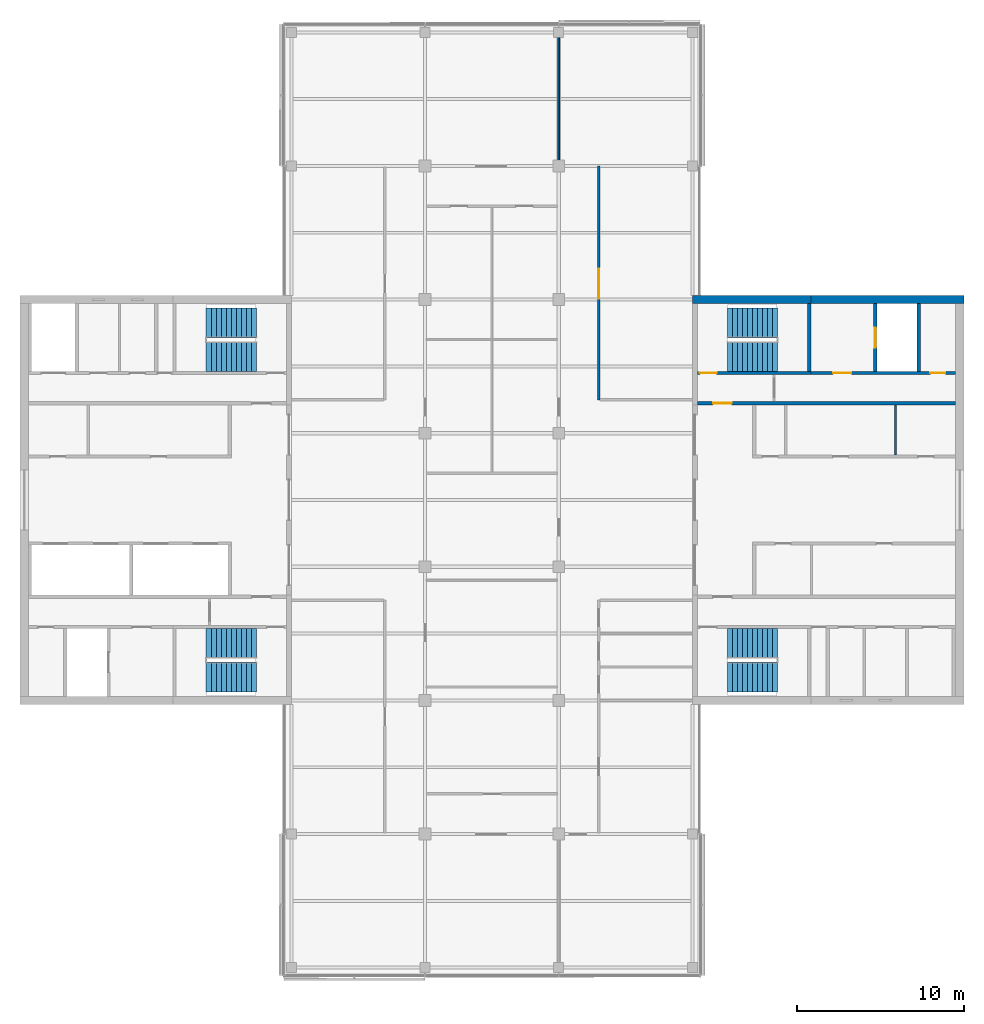
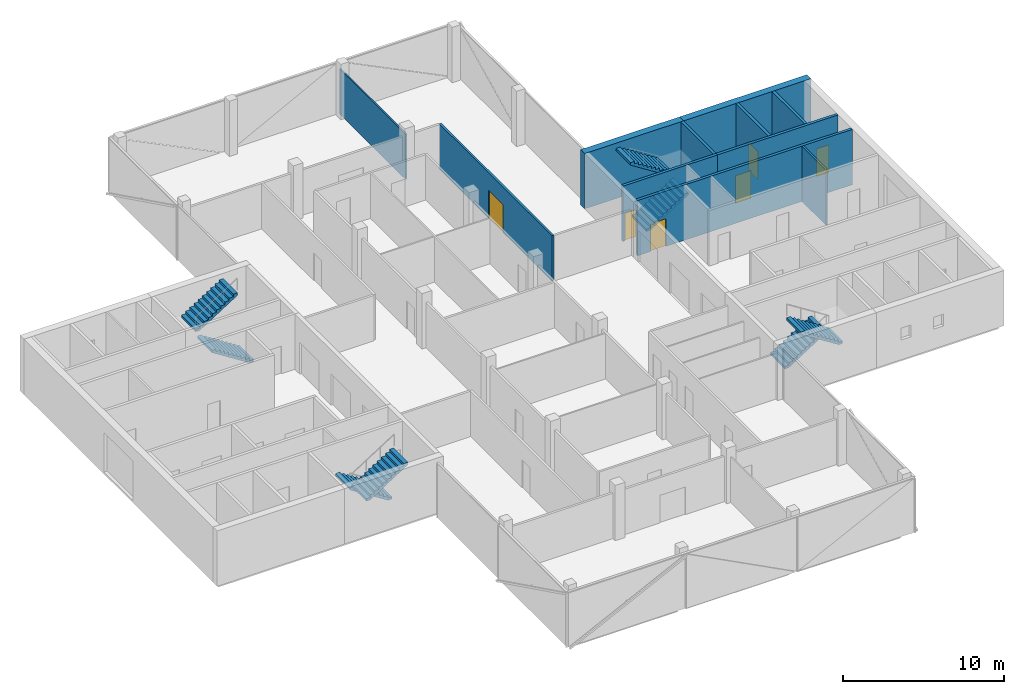
# One storey, part 12 of 15: 11 walls, 8 stair flights, 6 doors, 6 openings, 4 elements without a shape of their own.
"""IFC4 building model written with IfcOpenShell, lengths in metres."""

from ifc_helpers import new_model, si_unit, direction, frame, frame_2d, origin, place, context, subcontext, project, spatial, polyline, rectangle, outline, extrude, material, layer, layer_set, constituent, constituent_set, type_object, element, fill, aggregate, save


model = new_model("IFC4")

# Units and contexts
model_context = context("Model", 3, precision=1e-05, world=origin(), true_north=direction((0.0, 1.0)))
body_context = subcontext(model_context, "Body", "Model", "MODEL_VIEW")
ifc_project = project(units=[si_unit("LENGTHUNIT", "METRE"), si_unit("AREAUNIT", "SQUARE_METRE"), si_unit("VOLUMEUNIT", "CUBIC_METRE"), si_unit("PLANEANGLEUNIT", "RADIAN"), si_unit("MASSUNIT", "GRAM", prefix="KILO")], contexts=[model_context])

# Site, building, storey
site_placement = place(None, origin())
site = spatial("IfcSite", under=ifc_project, at=site_placement, CompositionType="ELEMENT")
building_placement = place(site_placement, origin())
building = spatial("IfcBuilding", under=site, at=building_placement, Name="Crosswind Convention Tower", CompositionType="ELEMENT")
storey_placement = place(building_placement, frame((0.0, 0.0, 257.699951171875)))
storey = spatial("IfcBuildingStorey", under=building, at=storey_placement, Name="L55", CompositionType="ELEMENT", Elevation=257.699951171875)

# Wall, opening, door
ifc_material_1 = material(Name="Concrete C50/60", Category="concrete")
ifc_layer_1 = layer(ifc_material_1, 0.199951171875)
ifc_layer_set_1 = layer_set([ifc_layer_1], Name="Concrete C50/60")
wall_type_1 = type_object("IfcWallType", Name="Concrete shaft and stair wall 200", PredefinedType="SHEAR", material=ifc_layer_set_1)
wall_1_placement = place(storey_placement, frame((137.300048828125, 105.800048828125, 0.0), z_axis=(0.0, 0.0, 1.0), x_axis=(1.0, 0.0, 0.0)))
wall_1 = element("IfcWall", 1, at=wall_1_placement, inside=storey, type_object=wall_type_1, Name="Wall HP E L55", PredefinedType="SHEAR", context=body_context, shape_type="SweptSolid", body=[
    extrude(rectangle(XDim=15.449951171875, YDim=0.199951171875, at=frame_2d((7.72509765625, 0.0))), origin(), (0.0, 0.0, 1.0), 4.199951171875),
])
opening_1_placement = place(wall_1_placement, frame((0.949951171875, 0.0, 0.0)))
opening_1 = element("IfcOpeningElement", 2, at=opening_1_placement, cuts=wall_1, Name="Opening D104", PredefinedType="OPENING", context=body_context, shape_type="SweptSolid", body=[
    extrude(rectangle(XDim=1.10009765625, YDim=2.10009765625, at=frame_2d((0.550048828125, 1.050048828125))), frame((0.0, 0.10986328125, 0.0), z_axis=(0.0, -1.0, 0.0), x_axis=(1.0, 0.0, 0.0)), (0.0, 0.0, 1.0), 0.219970703125),
])
ifc_material_2 = material(Name="Steel fire door", Category="steel")
door_type_1 = type_object("IfcDoorType", Name="Fire-rated single door 1100x2100", OperationType="NOTDEFINED", PredefinedType="DOOR", material=ifc_material_2)
door_1_placement = place(opening_1_placement, origin())
door_1 = element("IfcDoor", 3, at=door_1_placement, inside=storey, type_object=door_type_1, Name="Corridor door L55", ObjectType="D104", OperationType="SINGLE_SWING_LEFT", OverallHeight=2.10009765625, OverallWidth=1.10009765625, PredefinedType="DOOR", context=body_context, shape_type="SweptSolid", body=[
    extrude(rectangle(XDim=1.10009765625, YDim=2.10009765625, at=frame_2d((0.550048828125, 1.050048828125))), frame((0.0, 0.02490234375, 0.0), z_axis=(0.0, -1.0, 0.0), x_axis=(1.0, 0.0, 0.0)), (0.0, 0.0, 1.0), 0.050048828125),
])
fill(opening_1, door_1)

# Wall
wall_2_placement = place(storey_placement, frame((144.0, 107.699951171875, 0.0), z_axis=(0.0, 0.0, 1.0), x_axis=(0.0, 1.0, 0.0)))
element("IfcWall", 4, at=wall_2_placement, inside=storey, type_object=wall_type_1, Name="Wall PSE E L55", PredefinedType="SHEAR", context=body_context, shape_type="SweptSolid", body=[
    extrude(rectangle(XDim=4.050048828125, YDim=0.199951171875, at=frame_2d((2.02490234375, 0.0))), origin(), (0.0, 0.0, 1.0), 4.199951171875),
])

# Wall, opening, door
wall_3_placement = place(storey_placement, frame((147.949951171875, 107.699951171875, 0.0), z_axis=(0.0, 0.0, 1.0), x_axis=(0.0, 1.0, 0.0)))
wall_3 = element("IfcWall", 5, at=wall_3_placement, inside=storey, type_object=wall_type_1, Name="Wall PFLW E L55", PredefinedType="SHEAR", context=body_context, shape_type="SweptSolid", body=[
    extrude(rectangle(XDim=4.050048828125, YDim=0.199951171875, at=frame_2d((2.02490234375, 0.0))), origin(), (0.0, 0.0, 1.0), 4.199951171875),
])
opening_2_placement = place(wall_3_placement, frame((1.425048828125, 0.0, 0.0)))
opening_2 = element("IfcOpeningElement", 6, at=opening_2_placement, cuts=wall_3, Name="Opening LD1", PredefinedType="OPENING", context=body_context, shape_type="SweptSolid", body=[
    extrude(rectangle(XDim=1.199951171875, YDim=2.10009765625, at=frame_2d((0.60009765625, 1.050048828125))), frame((0.0, 0.10986328125, 0.0), z_axis=(0.0, -1.0, 0.0), x_axis=(1.0, 0.0, 0.0)), (0.0, 0.0, 1.0), 0.219970703125),
])
ifc_material_3 = material(Name="Stainless steel", Category="steel")
door_type_2 = type_object("IfcDoorType", Name="Lift landing door 1200x2100", OperationType="DOUBLE_DOOR_SLIDING", PredefinedType="DOOR", material=ifc_material_3)
door_2_placement = place(opening_2_placement, origin())
door_2 = element("IfcDoor", 7, at=door_2_placement, inside=storey, type_object=door_type_2, Name="Landing door FF1 L55", ObjectType="LD1", OperationType="DOUBLE_DOOR_SLIDING", OverallHeight=2.10009765625, OverallWidth=1.199951171875, PredefinedType="DOOR", context=body_context, shape_type="SweptSolid", body=[
    extrude(rectangle(XDim=1.199951171875, YDim=2.10009765625, at=frame_2d((0.60009765625, 1.050048828125))), frame((0.0, 0.02490234375, 0.0), z_axis=(0.0, -1.0, 0.0), x_axis=(1.0, 0.0, 0.0)), (0.0, 0.0, 1.0), 0.050048828125),
])
fill(opening_2, door_2)

# Wall
wall_4_placement = place(storey_placement, frame((150.550048828125, 107.699951171875, 0.0), z_axis=(0.0, 0.0, 1.0), x_axis=(0.0, 1.0, 0.0)))
element("IfcWall", 8, at=wall_4_placement, inside=storey, type_object=wall_type_1, Name="Wall PFSE E L55", PredefinedType="SHEAR", context=body_context, shape_type="SweptSolid", body=[
    extrude(rectangle(XDim=4.050048828125, YDim=0.199951171875, at=frame_2d((2.02490234375, 0.0))), origin(), (0.0, 0.0, 1.0), 4.199951171875),
])

# Wall, opening, door
wall_5_placement = place(storey_placement, frame((137.300048828125, 107.60009765625, 0.0), z_axis=(0.0, 0.0, 1.0), x_axis=(1.0, 0.0, 0.0)))
wall_5 = element("IfcWall", 9, at=wall_5_placement, inside=storey, type_object=wall_type_1, Name="Wall PCW E L55", PredefinedType="SHEAR", context=body_context, shape_type="SweptSolid", body=[
    extrude(rectangle(XDim=6.800048828125, YDim=0.199951171875, at=frame_2d((3.39990234375, 0.0))), origin(), (0.0, 0.0, 1.0), 4.199951171875),
])
opening_3_placement = place(wall_5_placement, frame((0.14990234375, 0.0, 0.0)))
opening_3 = element("IfcOpeningElement", 10, at=opening_3_placement, cuts=wall_5, Name="Opening D103", PredefinedType="OPENING", context=body_context, shape_type="SweptSolid", body=[
    extrude(rectangle(XDim=1.0, YDim=2.10009765625, at=frame_2d((0.5, 1.050048828125))), frame((0.0, 0.10986328125, 0.0), z_axis=(0.0, -1.0, 0.0), x_axis=(1.0, 0.0, 0.0)), (0.0, 0.0, 1.0), 0.219970703125),
])
door_type_3 = type_object("IfcDoorType", Name="Fire-rated single door 1000x2100", OperationType="NOTDEFINED", PredefinedType="DOOR", material=ifc_material_2)
door_3_placement = place(opening_3_placement, origin())
door_3 = element("IfcDoor", 11, at=door_3_placement, inside=storey, type_object=door_type_3, Name="Stair ST1 door L55", ObjectType="D103", OperationType="SINGLE_SWING_LEFT", OverallHeight=2.10009765625, OverallWidth=1.0, PredefinedType="DOOR", context=body_context, shape_type="SweptSolid", body=[
    extrude(rectangle(XDim=1.0, YDim=2.10009765625, at=frame_2d((0.5, 1.050048828125))), frame((0.0, 0.02490234375, 0.0), z_axis=(0.0, -1.0, 0.0), x_axis=(1.0, 0.0, 0.0)), (0.0, 0.0, 1.0), 0.050048828125),
])
fill(opening_3, door_3)

# Wall, openings, doors
wall_6_placement = place(storey_placement, frame((144.10009765625, 107.60009765625, 0.0), z_axis=(0.0, 0.0, 1.0), x_axis=(1.0, 0.0, 0.0)))
wall_6 = element("IfcWall", 12, at=wall_6_placement, inside=storey, type_object=wall_type_1, Name="Wall PCX E L55", PredefinedType="SHEAR", context=body_context, shape_type="SweptSolid", body=[
    extrude(rectangle(XDim=8.64990234375, YDim=0.199951171875, at=frame_2d((4.324951171875, 0.0))), origin(), (0.0, 0.0, 1.0), 4.199951171875),
])
opening_4_placement = place(wall_6_placement, frame((1.324951171875, 0.0, 0.0)))
opening_4 = element("IfcOpeningElement", 13, at=opening_4_placement, cuts=wall_6, Name="Opening D104", PredefinedType="OPENING", context=body_context, shape_type="SweptSolid", body=[
    extrude(rectangle(XDim=1.10009765625, YDim=2.10009765625, at=frame_2d((0.550048828125, 1.050048828125))), frame((0.0, 0.10986328125, 0.0), z_axis=(0.0, -1.0, 0.0), x_axis=(1.0, 0.0, 0.0)), (0.0, 0.0, 1.0), 0.219970703125),
])
opening_5_placement = place(wall_6_placement, frame((7.14990234375, 0.0, 0.0)))
opening_5 = element("IfcOpeningElement", 14, at=opening_5_placement, cuts=wall_6, Name="Opening D106", PredefinedType="OPENING", context=body_context, shape_type="SweptSolid", body=[
    extrude(rectangle(XDim=0.89990234375, YDim=2.10009765625, at=frame_2d((0.449951171875, 1.050048828125))), frame((0.0, 0.10986328125, 0.0), z_axis=(0.0, -1.0, 0.0), x_axis=(1.0, 0.0, 0.0)), (0.0, 0.0, 1.0), 0.219970703125),
])
door_4_placement = place(opening_4_placement, origin())
door_4 = element("IfcDoor", 15, at=door_4_placement, inside=storey, type_object=door_type_1, Name="Fire-fighting lobby FF1 door L55", ObjectType="D104", OperationType="SINGLE_SWING_RIGHT", OverallHeight=2.10009765625, OverallWidth=1.10009765625, PredefinedType="DOOR", context=body_context, shape_type="SweptSolid", body=[
    extrude(rectangle(XDim=1.10009765625, YDim=2.10009765625, at=frame_2d((0.550048828125, 1.050048828125))), frame((0.0, 0.02490234375, 0.0), z_axis=(0.0, -1.0, 0.0), x_axis=(1.0, 0.0, 0.0)), (0.0, 0.0, 1.0), 0.050048828125),
])
fill(opening_4, door_4)
ifc_material_4 = material(Name="Timber door", Category="wood")
door_type_4 = type_object("IfcDoorType", Name="Single leaf door 900x2100", OperationType="NOTDEFINED", PredefinedType="DOOR", material=ifc_material_4)
door_5_placement = place(opening_5_placement, origin())
door_5 = element("IfcDoor", 16, at=door_5_placement, inside=storey, type_object=door_type_4, Name="Door to cleaners' store L55", ObjectType="D106", OperationType="SINGLE_SWING_RIGHT", OverallHeight=2.10009765625, OverallWidth=0.89990234375, PredefinedType="DOOR", context=body_context, shape_type="SweptSolid", body=[
    extrude(rectangle(XDim=0.89990234375, YDim=2.10009765625, at=frame_2d((0.449951171875, 1.050048828125))), frame((0.0, 0.02490234375, 0.0), z_axis=(0.0, -1.0, 0.0), x_axis=(1.0, 0.0, 0.0)), (0.0, 0.0, 1.0), 0.050048828125),
])
fill(opening_5, door_5)

# Walls
ifc_material_5 = material(Name="Gypsum plasterboard partition", Category="gypsum")
ifc_layer_2 = layer(ifc_material_5, 0.125)
ifc_layer_set_2 = layer_set([ifc_layer_2], Name="Drywall partition wall 125")
wall_type_2 = type_object("IfcWallType", Name="Drywall partition wall 125", PredefinedType="PARTITIONING", material=ifc_layer_set_2)
wall_7_placement = place(storey_placement, frame((149.1650390625, 102.699951171875, 0.0), z_axis=(0.0, 0.0, 1.0), x_axis=(0.0, 1.0, 0.0)))
element("IfcWall", 17, at=wall_7_placement, inside=storey, type_object=wall_type_2, Name="Wall RPP2 E L55", PredefinedType="PARTITIONING", context=body_context, shape_type="SweptSolid", body=[
    extrude(rectangle(XDim=3.0, YDim=0.125, at=frame_2d((1.5, 0.0))), origin(), (0.0, 0.0, 1.0), 4.199951171875),
])
ifc_material_6 = material(Name="Plasterboard partition", Category="gypsum")
ifc_layer_3 = layer(ifc_material_6, 0.10009765625)
ifc_layer_set_3 = layer_set([ifc_layer_3], Name="PARTITION 100 METAL STUD")
wall_type_3 = type_object("IfcWallType", Name="PARTITION 100 METAL STUD", PredefinedType="PARTITIONING", material=ifc_layer_set_3)
wall_8_placement = place(storey_placement, frame((129.0, 120.074951171875, 0.0), z_axis=(0.0, 0.0, 1.0), x_axis=(0.0, 1.0, 0.0)))
element("IfcWall", 18, at=wall_8_placement, inside=storey, type_object=wall_type_3, Name="Partition wall WT40", PredefinedType="PARTITIONING", context=body_context, shape_type="SweptSolid", body=[
    extrude(rectangle(XDim=8.195068359375, YDim=0.10009765625, at=frame_2d((4.09765625, 0.0))), origin(), (0.0, 0.0, 1.0), 3.44287109375),
])

# Wall, opening, door
ifc_material_7 = material(Name="Fire-board partition with mineral wool", Category="gypsum")
ifc_layer_4 = layer(ifc_material_7, 0.14990234375)
ifc_layer_set_4 = layer_set([ifc_layer_4], Name="TENANCY WALL 150 TWO-HOUR BOARD")
wall_type_4 = type_object("IfcWallType", Name="TENANCY WALL 150 TWO-HOUR BOARD", PredefinedType="PARTITIONING", material=ifc_layer_set_4)
wall_9_placement = place(storey_placement, frame((131.39990234375, 106.0, 0.0), z_axis=(0.0, 0.0, 1.0), x_axis=(0.0, 1.0, 0.0)))
wall_9 = element("IfcWall", 19, at=wall_9_placement, inside=storey, type_object=wall_type_4, Name="Tenancy wall WT41", PredefinedType="PARTITIONING", context=body_context, shape_type="SweptSolid", body=[
    extrude(rectangle(XDim=14.0, YDim=0.14990234375, at=frame_2d((7.0, 0.0))), origin(), (0.0, 0.0, 1.0), 3.44287109375),
])
opening_6_placement = place(wall_9_placement, frame((6.050048828125, 0.0, 0.0)))
opening_6 = element("IfcOpeningElement", 20, at=opening_6_placement, cuts=wall_9, Name="Opening L55-50", PredefinedType="OPENING", context=body_context, shape_type="SweptSolid", body=[
    extrude(rectangle(XDim=1.800048828125, YDim=2.10009765625, at=frame_2d((0.89990234375, 1.050048828125))), frame((0.0, 0.0849609375, 0.0), z_axis=(0.0, -1.0, 0.0), x_axis=(1.0, 0.0, 0.0)), (0.0, 0.0, 1.0), 0.169921875),
])
ifc_material_8 = material(Name="Timber fire door", Category="wood")
door_type_5 = type_object("IfcDoorType", Name="TENANCY ENTRANCE DOUBLE DOOR 1800X2100 FD30S", OperationType="DOUBLE_DOOR_SINGLE_SWING", PredefinedType="DOOR", material=ifc_material_8)
door_6_placement = place(opening_6_placement, frame((1.800048828125, 0.0, 0.0), z_axis=(0.0, 0.0, 1.0), x_axis=(-1.0, 0.0, 0.0)))
door_6 = element("IfcDoor", 21, at=door_6_placement, inside=storey, type_object=door_type_5, Name="Door L55-50", ObjectType="D42", OperationType="DOUBLE_DOOR_SINGLE_SWING", OverallHeight=2.10009765625, OverallWidth=1.800048828125, PredefinedType="DOOR", context=body_context, shape_type="SweptSolid", body=[
    extrude(rectangle(XDim=1.800048828125, YDim=2.10009765625, at=frame_2d((0.89990234375, 1.050048828125))), frame((0.0, 0.02490234375, 0.0), z_axis=(0.0, -1.0, 0.0), x_axis=(1.0, 0.0, 0.0)), (0.0, 0.0, 1.0), 0.050048828125),
])
fill(opening_6, door_6)

# Walls
ifc_material_9 = material(Name="Concrete C60/75", Category="concrete")
ifc_constituent_1 = constituent(ifc_material_9, Name="Structure")
ifc_material_10 = material(Name="Terracotta rainscreen", Category="ceramic")
ifc_constituent_2 = constituent(ifc_material_10, Name="Facing")
ifc_constituent_set = constituent_set(constituents=[ifc_constituent_1, ifc_constituent_2], Name="Concrete C60/75, Terracotta rainscreen")
wall_type_5 = type_object("IfcWallType", Name="Terracotta rainscreen on concrete core wall 500", PredefinedType="SHEAR", material=ifc_constituent_set)
wall_10_placement = place(storey_placement, frame((137.0, 112.0, 0.0), z_axis=(0.0, 0.0, 1.0), x_axis=(1.0, 0.0, 0.0)))
element("IfcWall", 22, at=wall_10_placement, inside=storey, type_object=wall_type_5, Name="Wall N1 E L55", PredefinedType="SHEAR", context=body_context, shape_type="SweptSolid", body=[
    extrude(rectangle(XDim=7.10009765625, YDim=0.5, at=frame_2d((3.550048828125, 0.0))), origin(), (0.0, 0.0, 1.0), 4.199951171875),
])
wall_11_placement = place(storey_placement, frame((144.10009765625, 112.0, 0.0), z_axis=(0.0, 0.0, 1.0), x_axis=(1.0, 0.0, 0.0)))
element("IfcWall", 23, at=wall_11_placement, inside=storey, type_object=wall_type_5, Name="Wall N2 E L55", PredefinedType="SHEAR", context=body_context, shape_type="SweptSolid", body=[
    extrude(rectangle(XDim=9.14990234375, YDim=0.5, at=frame_2d((4.574951171875, 0.0))), origin(), (0.0, 0.0, 1.0), 4.199951171875),
])

# Stair, stair flights
ifc_material_11 = material(Name="Concrete C40/50", Category="concrete")
stair_type = type_object("IfcStairType", Name="Exit stair 1800 wide, 2 flights of 11 risers", PredefinedType="HALF_TURN_STAIR", material=ifc_material_11)
stair_1_placement = place(storey_placement, origin())
stair_1 = element("IfcStair", 24, at=stair_1_placement, inside=storey, type_object=stair_type, Name="Exit stair ST1 L55", ObjectType="ST5", PredefinedType="HALF_TURN_STAIR")
stair_flight_type = type_object("IfcStairFlightType", Name="Stair flight 1800 wide, 11 risers (SF4)", PredefinedType="STRAIGHT", material=ifc_material_11)
stair_flight_1_placement = place(storey_placement, frame((139.10009765625, 108.60009765625, 0.0), z_axis=(0.0, 0.0, 1.0), x_axis=(1.0, 0.0, 0.0)))
stair_flight_1 = element("IfcStairFlight", 25, at=stair_flight_1_placement, type_object=stair_flight_type, Name="ST1 flight 1", NumberOfRisers=11, NumberOfTreads=10, PredefinedType="STRAIGHT", RiserHeight=0.190909091, TreadLength=0.3, context=body_context, shape_type="SweptSolid", body=[
    extrude(outline(polyline([(0.0, 0.0), (0.0, 0.19091796875), (0.300048828125, 0.19091796875), (0.300048828125, 0.3818359375), (0.60009765625, 0.3818359375), (0.60009765625, 0.57275390625), (0.89990234375, 0.57275390625), (0.89990234375, 0.763671875), (1.199951171875, 0.763671875), (1.199951171875, 0.95458984375), (1.5, 0.95458984375), (1.5, 1.1455078125), (1.800048828125, 1.1455078125), (1.800048828125, 1.33642578125), (2.10009765625, 1.33642578125), (2.10009765625, 1.52734375), (2.39990234375, 1.52734375), (2.39990234375, 1.71826171875), (2.699951171875, 1.71826171875), (2.699951171875, 1.9091796875), (3.0, 1.9091796875), (3.0, 2.10009765625), (3.0, 1.7314453125), (0.279296875, 0.0), (0.0, 0.0)])), frame((0.0, 0.89990234375, 0.0), z_axis=(0.0, -1.0, 0.0), x_axis=(1.0, 0.0, 0.0)), (0.0, 0.0, 1.0), 1.800048828125),
])
stair_flight_2_placement = place(storey_placement, frame((142.10009765625, 110.60009765625, 2.10009765625), z_axis=(0.0, 0.0, 1.0), x_axis=(-1.0, 0.0, 0.0)))
stair_flight_2 = element("IfcStairFlight", 26, at=stair_flight_2_placement, type_object=stair_flight_type, Name="ST1 flight 2", NumberOfRisers=11, NumberOfTreads=10, PredefinedType="STRAIGHT", RiserHeight=0.190909091, TreadLength=0.3, context=body_context, shape_type="SweptSolid", body=[
    extrude(outline(polyline([(0.0, 0.0), (0.0, 0.19091796875), (0.300048828125, 0.19091796875), (0.300048828125, 0.3818359375), (0.60009765625, 0.3818359375), (0.60009765625, 0.57275390625), (0.89990234375, 0.57275390625), (0.89990234375, 0.763671875), (1.199951171875, 0.763671875), (1.199951171875, 0.95458984375), (1.5, 0.95458984375), (1.5, 1.1455078125), (1.800048828125, 1.1455078125), (1.800048828125, 1.33642578125), (2.10009765625, 1.33642578125), (2.10009765625, 1.52734375), (2.39990234375, 1.52734375), (2.39990234375, 1.71826171875), (2.699951171875, 1.71826171875), (2.699951171875, 1.9091796875), (3.0, 1.9091796875), (3.0, 2.10009765625), (3.0, 1.7314453125), (0.279296875, 0.0), (0.0, 0.0)])), frame((0.0, 0.89990234375, 0.0), z_axis=(0.0, -1.0, 0.0), x_axis=(1.0, 0.0, 0.0)), (0.0, 0.0, 1.0), 1.800048828125),
])
aggregate(stair_1, [stair_flight_1, stair_flight_2])

stair_2_placement = place(storey_placement, origin())
stair_2 = element("IfcStair", 27, at=stair_2_placement, inside=storey, type_object=stair_type, Name="Exit stair ST2 L55", ObjectType="ST5", PredefinedType="HALF_TURN_STAIR")
stair_flight_3_placement = place(storey_placement, frame((139.10009765625, 91.39990234375, 0.0), z_axis=(0.0, 0.0, 1.0), x_axis=(1.0, 0.0, 0.0)))
stair_flight_3 = element("IfcStairFlight", 28, at=stair_flight_3_placement, type_object=stair_flight_type, Name="ST2 flight 1", NumberOfRisers=11, NumberOfTreads=10, PredefinedType="STRAIGHT", RiserHeight=0.190909091, TreadLength=0.3, context=body_context, shape_type="SweptSolid", body=[
    extrude(outline(polyline([(0.0, 0.0), (0.0, 0.19091796875), (0.300048828125, 0.19091796875), (0.300048828125, 0.3818359375), (0.60009765625, 0.3818359375), (0.60009765625, 0.57275390625), (0.89990234375, 0.57275390625), (0.89990234375, 0.763671875), (1.199951171875, 0.763671875), (1.199951171875, 0.95458984375), (1.5, 0.95458984375), (1.5, 1.1455078125), (1.800048828125, 1.1455078125), (1.800048828125, 1.33642578125), (2.10009765625, 1.33642578125), (2.10009765625, 1.52734375), (2.39990234375, 1.52734375), (2.39990234375, 1.71826171875), (2.699951171875, 1.71826171875), (2.699951171875, 1.9091796875), (3.0, 1.9091796875), (3.0, 2.10009765625), (3.0, 1.7314453125), (0.279296875, 0.0), (0.0, 0.0)])), frame((0.0, 0.89990234375, 0.0), z_axis=(0.0, -1.0, 0.0), x_axis=(1.0, 0.0, 0.0)), (0.0, 0.0, 1.0), 1.800048828125),
])
stair_flight_4_placement = place(storey_placement, frame((142.10009765625, 89.39990234375, 2.10009765625), z_axis=(0.0, 0.0, 1.0), x_axis=(-1.0, 0.0, 0.0)))
stair_flight_4 = element("IfcStairFlight", 29, at=stair_flight_4_placement, type_object=stair_flight_type, Name="ST2 flight 2", NumberOfRisers=11, NumberOfTreads=10, PredefinedType="STRAIGHT", RiserHeight=0.190909091, TreadLength=0.3, context=body_context, shape_type="SweptSolid", body=[
    extrude(outline(polyline([(0.0, 0.0), (0.0, 0.19091796875), (0.300048828125, 0.19091796875), (0.300048828125, 0.3818359375), (0.60009765625, 0.3818359375), (0.60009765625, 0.57275390625), (0.89990234375, 0.57275390625), (0.89990234375, 0.763671875), (1.199951171875, 0.763671875), (1.199951171875, 0.95458984375), (1.5, 0.95458984375), (1.5, 1.1455078125), (1.800048828125, 1.1455078125), (1.800048828125, 1.33642578125), (2.10009765625, 1.33642578125), (2.10009765625, 1.52734375), (2.39990234375, 1.52734375), (2.39990234375, 1.71826171875), (2.699951171875, 1.71826171875), (2.699951171875, 1.9091796875), (3.0, 1.9091796875), (3.0, 2.10009765625), (3.0, 1.7314453125), (0.279296875, 0.0), (0.0, 0.0)])), frame((0.0, 0.89990234375, 0.0), z_axis=(0.0, -1.0, 0.0), x_axis=(1.0, 0.0, 0.0)), (0.0, 0.0, 1.0), 1.800048828125),
])
aggregate(stair_2, [stair_flight_3, stair_flight_4])

stair_3_placement = place(storey_placement, origin())
stair_3 = element("IfcStair", 30, at=stair_3_placement, inside=storey, type_object=stair_type, Name="Exit stair ST3 L55", ObjectType="ST5", PredefinedType="HALF_TURN_STAIR")
stair_flight_5_placement = place(storey_placement, frame((110.89990234375, 91.39990234375, 0.0), z_axis=(0.0, 0.0, 1.0), x_axis=(-1.0, 0.0, 0.0)))
stair_flight_5 = element("IfcStairFlight", 31, at=stair_flight_5_placement, type_object=stair_flight_type, Name="ST3 flight 1", NumberOfRisers=11, NumberOfTreads=10, PredefinedType="STRAIGHT", RiserHeight=0.190909091, TreadLength=0.3, context=body_context, shape_type="SweptSolid", body=[
    extrude(outline(polyline([(0.0, 0.0), (0.0, 0.19091796875), (0.300048828125, 0.19091796875), (0.300048828125, 0.3818359375), (0.60009765625, 0.3818359375), (0.60009765625, 0.57275390625), (0.89990234375, 0.57275390625), (0.89990234375, 0.763671875), (1.199951171875, 0.763671875), (1.199951171875, 0.95458984375), (1.5, 0.95458984375), (1.5, 1.1455078125), (1.800048828125, 1.1455078125), (1.800048828125, 1.33642578125), (2.10009765625, 1.33642578125), (2.10009765625, 1.52734375), (2.39990234375, 1.52734375), (2.39990234375, 1.71826171875), (2.699951171875, 1.71826171875), (2.699951171875, 1.9091796875), (3.0, 1.9091796875), (3.0, 2.10009765625), (3.0, 1.7314453125), (0.279296875, 0.0), (0.0, 0.0)])), frame((0.0, 0.89990234375, 0.0), z_axis=(0.0, -1.0, 0.0), x_axis=(1.0, 0.0, 0.0)), (0.0, 0.0, 1.0), 1.800048828125),
])
stair_flight_6_placement = place(storey_placement, frame((107.89990234375, 89.39990234375, 2.10009765625), z_axis=(0.0, 0.0, 1.0), x_axis=(1.0, 0.0, 0.0)))
stair_flight_6 = element("IfcStairFlight", 32, at=stair_flight_6_placement, type_object=stair_flight_type, Name="ST3 flight 2", NumberOfRisers=11, NumberOfTreads=10, PredefinedType="STRAIGHT", RiserHeight=0.190909091, TreadLength=0.3, context=body_context, shape_type="SweptSolid", body=[
    extrude(outline(polyline([(0.0, 0.0), (0.0, 0.19091796875), (0.300048828125, 0.19091796875), (0.300048828125, 0.3818359375), (0.60009765625, 0.3818359375), (0.60009765625, 0.57275390625), (0.89990234375, 0.57275390625), (0.89990234375, 0.763671875), (1.199951171875, 0.763671875), (1.199951171875, 0.95458984375), (1.5, 0.95458984375), (1.5, 1.1455078125), (1.800048828125, 1.1455078125), (1.800048828125, 1.33642578125), (2.10009765625, 1.33642578125), (2.10009765625, 1.52734375), (2.39990234375, 1.52734375), (2.39990234375, 1.71826171875), (2.699951171875, 1.71826171875), (2.699951171875, 1.9091796875), (3.0, 1.9091796875), (3.0, 2.10009765625), (3.0, 1.7314453125), (0.279296875, 0.0), (0.0, 0.0)])), frame((0.0, 0.89990234375, 0.0), z_axis=(0.0, -1.0, 0.0), x_axis=(1.0, 0.0, 0.0)), (0.0, 0.0, 1.0), 1.800048828125),
])
aggregate(stair_3, [stair_flight_5, stair_flight_6])

stair_4_placement = place(storey_placement, origin())
stair_4 = element("IfcStair", 33, at=stair_4_placement, inside=storey, type_object=stair_type, Name="Exit stair ST4 L55", ObjectType="ST5", PredefinedType="HALF_TURN_STAIR")
stair_flight_7_placement = place(storey_placement, frame((110.89990234375, 108.60009765625, 0.0), z_axis=(0.0, 0.0, 1.0), x_axis=(-1.0, 0.0, 0.0)))
stair_flight_7 = element("IfcStairFlight", 34, at=stair_flight_7_placement, type_object=stair_flight_type, Name="ST4 flight 1", NumberOfRisers=11, NumberOfTreads=10, PredefinedType="STRAIGHT", RiserHeight=0.190909091, TreadLength=0.3, context=body_context, shape_type="SweptSolid", body=[
    extrude(outline(polyline([(0.0, 0.0), (0.0, 0.19091796875), (0.300048828125, 0.19091796875), (0.300048828125, 0.3818359375), (0.60009765625, 0.3818359375), (0.60009765625, 0.57275390625), (0.89990234375, 0.57275390625), (0.89990234375, 0.763671875), (1.199951171875, 0.763671875), (1.199951171875, 0.95458984375), (1.5, 0.95458984375), (1.5, 1.1455078125), (1.800048828125, 1.1455078125), (1.800048828125, 1.33642578125), (2.10009765625, 1.33642578125), (2.10009765625, 1.52734375), (2.39990234375, 1.52734375), (2.39990234375, 1.71826171875), (2.699951171875, 1.71826171875), (2.699951171875, 1.9091796875), (3.0, 1.9091796875), (3.0, 2.10009765625), (3.0, 1.7314453125), (0.279296875, 0.0), (0.0, 0.0)])), frame((0.0, 0.89990234375, 0.0), z_axis=(0.0, -1.0, 0.0), x_axis=(1.0, 0.0, 0.0)), (0.0, 0.0, 1.0), 1.800048828125),
])
stair_flight_8_placement = place(storey_placement, frame((107.89990234375, 110.60009765625, 2.10009765625), z_axis=(0.0, 0.0, 1.0), x_axis=(1.0, 0.0, 0.0)))
stair_flight_8 = element("IfcStairFlight", 35, at=stair_flight_8_placement, type_object=stair_flight_type, Name="ST4 flight 2", NumberOfRisers=11, NumberOfTreads=10, PredefinedType="STRAIGHT", RiserHeight=0.190909091, TreadLength=0.3, context=body_context, shape_type="SweptSolid", body=[
    extrude(outline(polyline([(0.0, 0.0), (0.0, 0.19091796875), (0.300048828125, 0.19091796875), (0.300048828125, 0.3818359375), (0.60009765625, 0.3818359375), (0.60009765625, 0.57275390625), (0.89990234375, 0.57275390625), (0.89990234375, 0.763671875), (1.199951171875, 0.763671875), (1.199951171875, 0.95458984375), (1.5, 0.95458984375), (1.5, 1.1455078125), (1.800048828125, 1.1455078125), (1.800048828125, 1.33642578125), (2.10009765625, 1.33642578125), (2.10009765625, 1.52734375), (2.39990234375, 1.52734375), (2.39990234375, 1.71826171875), (2.699951171875, 1.71826171875), (2.699951171875, 1.9091796875), (3.0, 1.9091796875), (3.0, 2.10009765625), (3.0, 1.7314453125), (0.279296875, 0.0), (0.0, 0.0)])), frame((0.0, 0.89990234375, 0.0), z_axis=(0.0, -1.0, 0.0), x_axis=(1.0, 0.0, 0.0)), (0.0, 0.0, 1.0), 1.800048828125),
])
aggregate(stair_4, [stair_flight_7, stair_flight_8])

save(model, "model.ifc")
